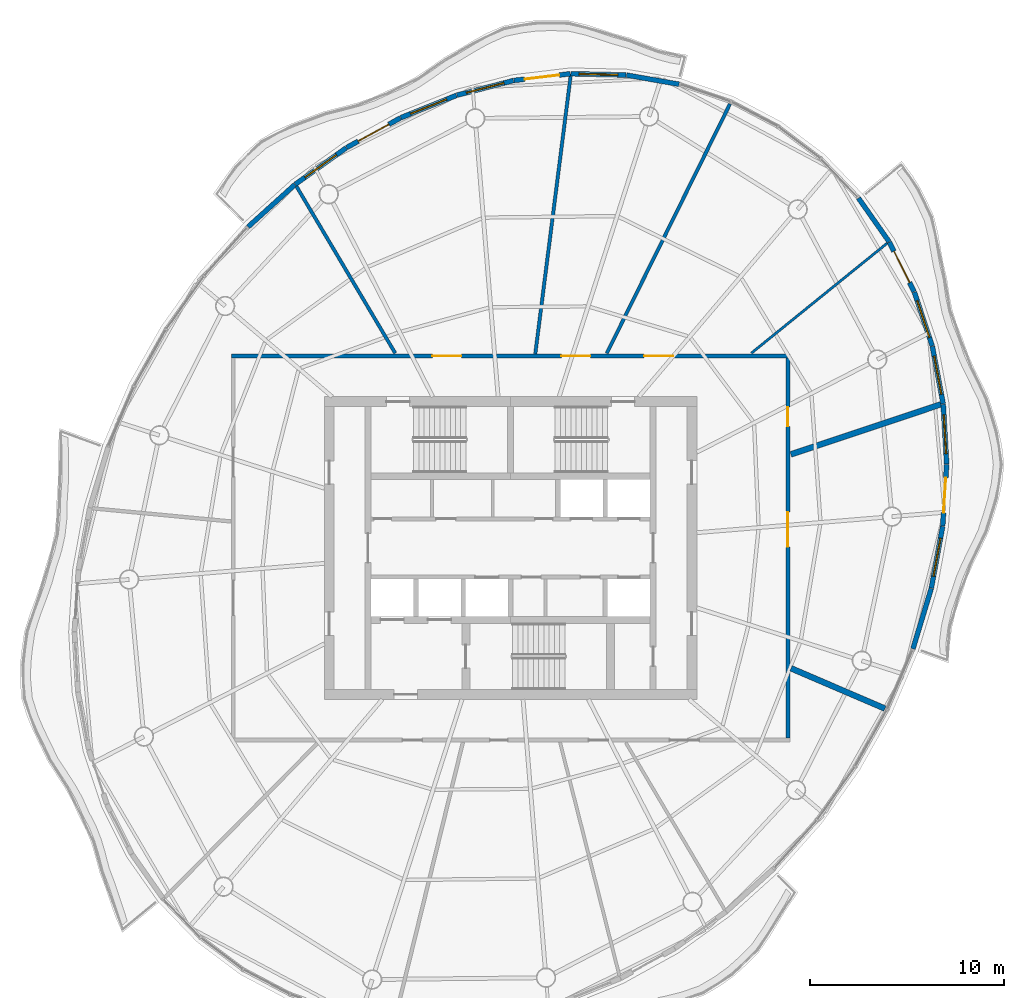
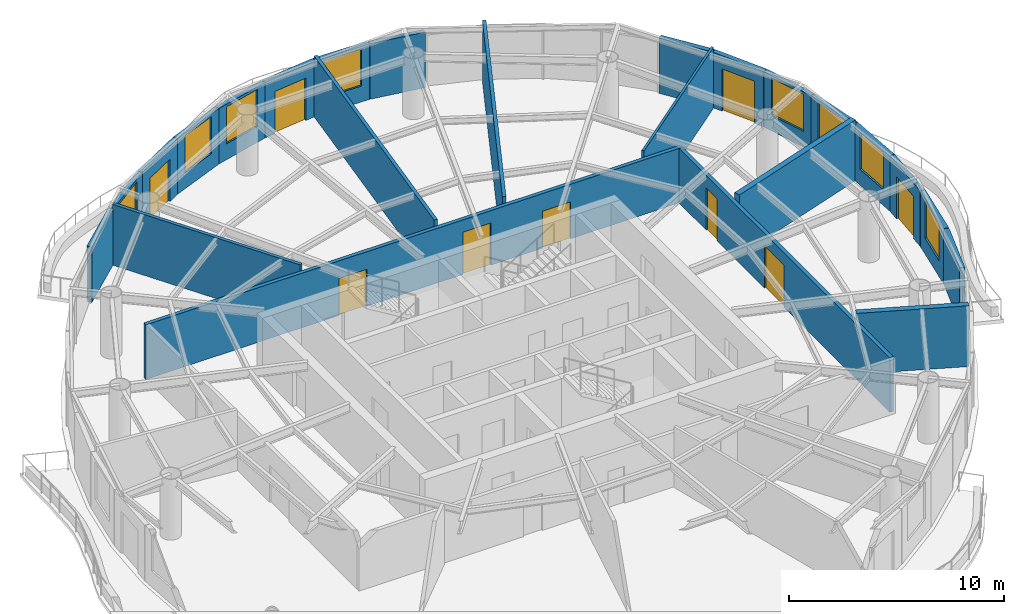
# One storey, part 10 of 14: 24 walls, 9 doors, 8 windows, 17 openings.
"""IFC4 building model written with IfcOpenShell, lengths in metres."""

from ifc_helpers import new_model, si_unit, direction, frame, frame_2d, origin, place, context, subcontext, project, spatial, rectangle, extrude, material, layer, layer_set, type_object, element, fill, save


model = new_model("IFC4")

# Units and contexts
model_context = context("Model", 3, precision=1e-05, world=origin(), true_north=direction((0.0, 1.0)))
body_context = subcontext(model_context, "Body", "Model", "MODEL_VIEW")
ifc_project = project(units=[si_unit("LENGTHUNIT", "METRE"), si_unit("AREAUNIT", "SQUARE_METRE"), si_unit("VOLUMEUNIT", "CUBIC_METRE"), si_unit("PLANEANGLEUNIT", "RADIAN"), si_unit("MASSUNIT", "GRAM", prefix="KILO")], contexts=[model_context])

# Site, building, storey
site_placement = place(None, origin())
site = spatial("IfcSite", under=ifc_project, at=site_placement, CompositionType="ELEMENT")
building_placement = place(site_placement, origin())
building = spatial("IfcBuilding", under=site, at=building_placement, Name="Vermilion Reach Broadcast Tower", CompositionType="ELEMENT")
storey_placement = place(building_placement, frame((0.0, 0.0, 264.89990234375)))
storey = spatial("IfcBuildingStorey", under=building, at=storey_placement, Name="L65", CompositionType="ELEMENT", Elevation=264.89990234375)

# Walls
ifc_material_1 = material(Name="Fire-rated plasterboard on steel stud", Category="steel")
ifc_layer_1 = layer(ifc_material_1, 0.125)
ifc_layer_set_1 = layer_set([ifc_layer_1], Name="Partition 125 fire-rated stud")
wall_type_1 = type_object("IfcWallType", Name="Partition 125 fire-rated stud", PredefinedType="PARTITIONING", material=ifc_layer_set_1)
wall_1_placement = place(storey_placement, frame((13.416259765625, 15.71630859375, 0.0), z_axis=(0.0, 0.0, 1.0), x_axis=(-0.777283998604, -0.629149891134, 0.0)))
element("IfcWall", 1, at=wall_1_placement, inside=storey, type_object=wall_type_1, Name="Partition 65.11", PredefinedType="PARTITIONING", context=body_context, shape_type="SweptSolid", body=[
    extrude(rectangle(XDim=9.008544921875, YDim=0.125, at=frame_2d((4.50439453125, 0.0))), origin(), (0.0, 0.0, 1.0), 3.4501953125),
])
ifc_material_2 = material(Name="Fire-rated block, plastered")
ifc_layer_2 = layer(ifc_material_2, 0.175048828125)
ifc_layer_set_2 = layer_set([ifc_layer_2], Name="Partition 175 fire-rated block")
wall_type_2 = type_object("IfcWallType", Name="Partition 175 fire-rated block", PredefinedType="PARTITIONING", material=ifc_layer_set_2)
wall_2_placement = place(storey_placement, frame((5.3115234375, 22.895263671875, 0.0), z_axis=(0.0, 0.0, 1.0), x_axis=(-0.442945398148, -0.896548590016, 0.0)))
element("IfcWall", 2, at=wall_2_placement, inside=storey, type_object=wall_type_2, Name="Partition 65.01", PredefinedType="PARTITIONING", context=body_context, shape_type="SweptSolid", body=[
    extrude(rectangle(XDim=14.33984375, YDim=0.175048828125, at=frame_2d((7.169921875, 0.0))), origin(), (0.0, 0.0, 1.0), 3.4501953125),
])
wall_3_placement = place(storey_placement, frame((-2.90478515625, 24.327880859375, 0.0), z_axis=(0.0, 0.0, 1.0), x_axis=(-0.126212209033, -0.992003265262, 0.0)))
element("IfcWall", 3, at=wall_3_placement, inside=storey, type_object=wall_type_2, Name="Partition 65.02", PredefinedType="PARTITIONING", context=body_context, shape_type="SweptSolid", body=[
    extrude(rectangle(XDim=14.432373046875, YDim=0.175048828125, at=frame_2d((7.21630859375, 0.0))), origin(), (0.0, 0.0, 1.0), 3.4501953125),
])
wall_4_placement = place(storey_placement, frame((-17.03662109375, 18.64208984375, 0.0), z_axis=(0.0, 0.0, 1.0), x_axis=(0.509456059297, -0.860496672652, 0.0)))
element("IfcWall", 4, at=wall_4_placement, inside=storey, type_object=wall_type_2, Name="Partition 65.03", PredefinedType="PARTITIONING", context=body_context, shape_type="SweptSolid", body=[
    extrude(rectangle(XDim=9.9912109375, YDim=0.175048828125, at=frame_2d((4.99560546875, 0.0))), origin(), (0.0, 0.0, 1.0), 3.4501953125),
])
ifc_material_3 = material(Name="Double-leaf plasterboard on isolated steel stud", Category="steel")
ifc_layer_3 = layer(ifc_material_3, 0.300048828125)
ifc_layer_set_3 = layer_set([ifc_layer_3], Name="Partition 300 acoustic double leaf")
wall_type_3 = type_object("IfcWallType", Name="Partition 300 acoustic double leaf", PredefinedType="PARTITIONING", material=ifc_layer_set_3)
wall_5_placement = place(storey_placement, frame((13.29833984375, -8.2763671875, 0.0), z_axis=(0.0, 0.0, 1.0), x_axis=(-0.919039472238, 0.39416550898, 0.0)))
element("IfcWall", 5, at=wall_5_placement, inside=storey, type_object=wall_type_3, Name="Partition 65.09", PredefinedType="PARTITIONING", context=body_context, shape_type="SweptSolid", body=[
    extrude(rectangle(XDim=5.265380859375, YDim=0.300048828125, at=frame_2d((2.6328125, 0.0))), origin(), (0.0, 0.0, 1.0), 3.4501953125),
])
wall_6_placement = place(storey_placement, frame((16.17919921875, 7.408935546875, 0.0), z_axis=(0.0, 0.0, 1.0), x_axis=(-0.948479442835, -0.316838675858, 0.0)))
element("IfcWall", 6, at=wall_6_placement, inside=storey, type_object=wall_type_3, Name="Partition 65.10", PredefinedType="PARTITIONING", context=body_context, shape_type="SweptSolid", body=[
    extrude(rectangle(XDim=8.151611328125, YDim=0.300048828125, at=frame_2d((4.07568359375, 0.0))), origin(), (0.0, 0.0, 1.0), 3.4501953125),
])
ifc_material_4 = material(Name="Terracotta rainscreen cladding", Category="masonry")
ifc_layer_4 = layer(ifc_material_4, 0.25)
ifc_layer_set_4 = layer_set([ifc_layer_4], Name="Terracotta rainscreen wall 250")
wall_type_4 = type_object("IfcWallType", Name="Terracotta rainscreen wall 250", PredefinedType="SOLIDWALL", material=ifc_layer_set_4)
wall_7_placement = place(storey_placement, frame((2.684326171875, 23.91015625, 0.0), z_axis=(0.0, 0.0, 1.0), x_axis=(-0.985123538197, 0.171847649069, 0.0)))
element("IfcWall", 7, at=wall_7_placement, inside=storey, type_object=wall_type_4, Name="External wall L65 02", PredefinedType="SOLIDWALL", context=body_context, shape_type="SweptSolid", body=[
    extrude(rectangle(XDim=2.74609375, YDim=0.25, at=frame_2d((1.373046875, 0.0))), origin(), (0.0, 0.0, 1.0), 3.150146484375),
])

# Wall, opening, window
wall_8_placement = place(storey_placement, frame((-0.047607421875, 24.384765625, 0.0), z_axis=(0.0, 0.0, 1.0), x_axis=(-0.999718659369, 0.023719235002, 0.0)))
wall_8 = element("IfcWall", 8, at=wall_8_placement, inside=storey, type_object=wall_type_4, Name="External wall L65 03", PredefinedType="SOLIDWALL", context=body_context, shape_type="SweptSolid", body=[
    extrude(rectangle(XDim=2.85107421875, YDim=0.25, at=frame_2d((1.425537109375, 0.0))), origin(), (0.0, 0.0, 1.0), 3.150146484375),
])
opening_1_placement = place(wall_8_placement, frame((0.425537109375, 0.0, 0.89990234375)))
opening_1 = element("IfcOpeningElement", 9, at=opening_1_placement, cuts=wall_8, Name="Opening W03", PredefinedType="OPENING", context=body_context, shape_type="SweptSolid", body=[
    extrude(rectangle(XDim=2.0, YDim=2.10009765625, at=frame_2d((1.0, 1.050048828125))), frame((0.0, 0.135009765625, 0.0), z_axis=(0.0, -1.0, 0.0), x_axis=(1.0, 0.0, 0.0)), (0.0, 0.0, 1.0), 0.27001953125),
])
ifc_material_5 = material(Name="Low-e laminated clear glass in aluminium frame", Category="aluminium")
window_type = type_object("IfcWindowType", Name="Punched window 2000 x 2100 sill 900", PartitioningType="SINGLE_PANEL", PredefinedType="WINDOW", material=ifc_material_5)
window_1_placement = place(opening_1_placement, origin())
window_1 = element("IfcWindow", 10, at=window_1_placement, inside=storey, type_object=window_type, Name="Window L65 03", OverallHeight=2.10009765625, OverallWidth=2.0, PartitioningType="SINGLE_PANEL", PredefinedType="WINDOW", context=body_context, shape_type="SweptSolid", body=[
    extrude(rectangle(XDim=2.0, YDim=2.10009765625, at=frame_2d((1.0, 1.050048828125))), frame((0.0, 0.030029296875, 0.0), z_axis=(0.0, -1.0, 0.0), x_axis=(1.0, 0.0, 0.0)), (0.0, 0.0, 1.0), 0.06005859375),
])
fill(opening_1, window_1)

# Wall, opening, door
wall_9_placement = place(storey_placement, frame((-2.923583984375, 24.451171875, 0.0), z_axis=(0.0, 0.0, 1.0), x_axis=(-0.992981045758, -0.11827359285, 0.0)))
wall_9 = element("IfcWall", 11, at=wall_9_placement, inside=storey, type_object=wall_type_4, Name="External wall L65 04", PredefinedType="SOLIDWALL", context=body_context, shape_type="SweptSolid", body=[
    extrude(rectangle(XDim=2.927001953125, YDim=0.25, at=frame_2d((1.46337890625, 0.0))), origin(), (0.0, 0.0, 1.0), 3.150146484375),
])
opening_2_placement = place(wall_9_placement, frame((0.56298828125, 0.0, 0.0)))
opening_2 = element("IfcOpeningElement", 12, at=opening_2_placement, cuts=wall_9, Name="Opening D70", PredefinedType="OPENING", context=body_context, shape_type="SweptSolid", body=[
    extrude(rectangle(XDim=1.800048828125, YDim=2.39990234375, at=frame_2d((0.89990234375, 1.199951171875))), frame((0.0, 0.135009765625, 0.0), z_axis=(0.0, -1.0, 0.0), x_axis=(1.0, 0.0, 0.0)), (0.0, 0.0, 1.0), 0.27001953125),
])
ifc_material_6 = material(Name="Low-e laminated clear glass in aluminium frame", Category="aluminium")
door_type_1 = type_object("IfcDoorType", Name="Balcony sliding door 1800 x 2400", OperationType="DOUBLE_DOOR_SLIDING", PredefinedType="DOOR", material=ifc_material_6)
door_1_placement = place(opening_2_placement, origin())
door_1 = element("IfcDoor", 13, at=door_1_placement, inside=storey, type_object=door_type_1, Name="Balcony door L65 run 01", OperationType="DOUBLE_DOOR_SLIDING", OverallHeight=2.39990234375, OverallWidth=1.800048828125, PredefinedType="DOOR", context=body_context, shape_type="SweptSolid", body=[
    extrude(rectangle(XDim=1.800048828125, YDim=2.39990234375, at=frame_2d((0.89990234375, 1.199951171875))), frame((0.0, 0.02490234375, 0.0), z_axis=(0.0, -1.0, 0.0), x_axis=(1.0, 0.0, 0.0)), (0.0, 0.0, 1.0), 0.050048828125),
])
fill(opening_2, door_1)

# Wall, opening, window
wall_10_placement = place(storey_placement, frame((-5.8544921875, 24.100341796875, 0.0), z_axis=(0.0, 0.0, 1.0), x_axis=(-0.967956734752, -0.25111702381, 0.0)))
wall_10 = element("IfcWall", 14, at=wall_10_placement, inside=storey, type_object=wall_type_4, Name="External wall L65 05", PredefinedType="SOLIDWALL", context=body_context, shape_type="SweptSolid", body=[
    extrude(rectangle(XDim=3.009033203125, YDim=0.25, at=frame_2d((1.50439453125, 0.0))), origin(), (0.0, 0.0, 1.0), 3.150146484375),
])
opening_3_placement = place(wall_10_placement, frame((0.504638671875, 0.0, 0.89990234375)))
opening_3 = element("IfcOpeningElement", 15, at=opening_3_placement, cuts=wall_10, Name="Opening W03", PredefinedType="OPENING", context=body_context, shape_type="SweptSolid", body=[
    extrude(rectangle(XDim=2.0, YDim=2.10009765625, at=frame_2d((1.0, 1.050048828125))), frame((0.0, 0.135009765625, 0.0), z_axis=(0.0, -1.0, 0.0), x_axis=(1.0, 0.0, 0.0)), (0.0, 0.0, 1.0), 0.27001953125),
])
window_2_placement = place(opening_3_placement, origin())
window_2 = element("IfcWindow", 16, at=window_2_placement, inside=storey, type_object=window_type, Name="Window L65 05", OverallHeight=2.10009765625, OverallWidth=2.0, PartitioningType="SINGLE_PANEL", PredefinedType="WINDOW", context=body_context, shape_type="SweptSolid", body=[
    extrude(rectangle(XDim=2.0, YDim=2.10009765625, at=frame_2d((1.0, 1.050048828125))), frame((0.0, 0.030029296875, 0.0), z_axis=(0.0, -1.0, 0.0), x_axis=(1.0, 0.0, 0.0)), (0.0, 0.0, 1.0), 0.06005859375),
])
fill(opening_3, window_2)

wall_11_placement = place(storey_placement, frame((-8.7900390625, 23.337158203125, 0.0), z_axis=(0.0, 0.0, 1.0), x_axis=(-0.927849089634, -0.372955851093, 0.0)))
wall_11 = element("IfcWall", 17, at=wall_11_placement, inside=storey, type_object=wall_type_4, Name="External wall L65 06", PredefinedType="SOLIDWALL", context=body_context, shape_type="SweptSolid", body=[
    extrude(rectangle(XDim=3.091796875, YDim=0.25, at=frame_2d((1.5458984375, 0.0))), origin(), (0.0, 0.0, 1.0), 3.150146484375),
])
opening_4_placement = place(wall_11_placement, frame((0.5458984375, 0.0, 0.89990234375)))
opening_4 = element("IfcOpeningElement", 18, at=opening_4_placement, cuts=wall_11, Name="Opening W03", PredefinedType="OPENING", context=body_context, shape_type="SweptSolid", body=[
    extrude(rectangle(XDim=2.0, YDim=2.10009765625, at=frame_2d((1.0, 1.050048828125))), frame((0.0, 0.135009765625, 0.0), z_axis=(0.0, -1.0, 0.0), x_axis=(1.0, 0.0, 0.0)), (0.0, 0.0, 1.0), 0.27001953125),
])
window_3_placement = place(opening_4_placement, origin())
window_3 = element("IfcWindow", 19, at=window_3_placement, inside=storey, type_object=window_type, Name="Window L65 06", OverallHeight=2.10009765625, OverallWidth=2.0, PartitioningType="SINGLE_PANEL", PredefinedType="WINDOW", context=body_context, shape_type="SweptSolid", body=[
    extrude(rectangle(XDim=2.0, YDim=2.10009765625, at=frame_2d((1.0, 1.050048828125))), frame((0.0, 0.030029296875, 0.0), z_axis=(0.0, -1.0, 0.0), x_axis=(1.0, 0.0, 0.0)), (0.0, 0.0, 1.0), 0.06005859375),
])
fill(opening_4, window_3)

# Wall, opening, door
wall_12_placement = place(storey_placement, frame((-11.6796875, 22.174072265625, 0.0), z_axis=(0.0, 0.0, 1.0), x_axis=(-0.875491155983, -0.483234141794, 0.0)))
wall_12 = element("IfcWall", 20, at=wall_12_placement, inside=storey, type_object=wall_type_4, Name="External wall L65 07", PredefinedType="SOLIDWALL", context=body_context, shape_type="SweptSolid", body=[
    extrude(rectangle(XDim=3.169189453125, YDim=0.25, at=frame_2d((1.58447265625, 0.0))), origin(), (0.0, 0.0, 1.0), 3.150146484375),
])
opening_5_placement = place(wall_12_placement, frame((0.68505859375, 0.0, 0.0)))
opening_5 = element("IfcOpeningElement", 21, at=opening_5_placement, cuts=wall_12, Name="Opening D70", PredefinedType="OPENING", context=body_context, shape_type="SweptSolid", body=[
    extrude(rectangle(XDim=1.800048828125, YDim=2.39990234375, at=frame_2d((0.89990234375, 1.199951171875))), frame((0.0, 0.135009765625, 0.0), z_axis=(0.0, -1.0, 0.0), x_axis=(1.0, 0.0, 0.0)), (0.0, 0.0, 1.0), 0.27001953125),
])
door_2_placement = place(opening_5_placement, origin())
door_2 = element("IfcDoor", 22, at=door_2_placement, inside=storey, type_object=door_type_1, Name="Balcony door L65 run 02", OperationType="DOUBLE_DOOR_SLIDING", OverallHeight=2.39990234375, OverallWidth=1.800048828125, PredefinedType="DOOR", context=body_context, shape_type="SweptSolid", body=[
    extrude(rectangle(XDim=1.800048828125, YDim=2.39990234375, at=frame_2d((0.89990234375, 1.199951171875))), frame((0.0, 0.02490234375, 0.0), z_axis=(0.0, -1.0, 0.0), x_axis=(1.0, 0.0, 0.0)), (0.0, 0.0, 1.0), 0.050048828125),
])
fill(opening_5, door_2)

# Wall, opening, window
wall_13_placement = place(storey_placement, frame((-14.4736328125, 20.63037109375, 0.0), z_axis=(0.0, 0.0, 1.0), x_axis=(-0.81314194721, -0.582065437634, 0.0)))
wall_13 = element("IfcWall", 23, at=wall_13_placement, inside=storey, type_object=wall_type_4, Name="External wall L65 08", PredefinedType="SOLIDWALL", context=body_context, shape_type="SweptSolid", body=[
    extrude(rectangle(XDim=3.2373046875, YDim=0.25, at=frame_2d((1.61865234375, 0.0))), origin(), (0.0, 0.0, 1.0), 3.150146484375),
])
opening_6_placement = place(wall_13_placement, frame((0.61865234375, 0.0, 0.89990234375)))
opening_6 = element("IfcOpeningElement", 24, at=opening_6_placement, cuts=wall_13, Name="Opening W03", PredefinedType="OPENING", context=body_context, shape_type="SweptSolid", body=[
    extrude(rectangle(XDim=2.0, YDim=2.10009765625, at=frame_2d((1.0, 1.050048828125))), frame((0.0, 0.135009765625, 0.0), z_axis=(0.0, -1.0, 0.0), x_axis=(1.0, 0.0, 0.0)), (0.0, 0.0, 1.0), 0.27001953125),
])
window_4_placement = place(opening_6_placement, origin())
window_4 = element("IfcWindow", 25, at=window_4_placement, inside=storey, type_object=window_type, Name="Window L65 08", OverallHeight=2.10009765625, OverallWidth=2.0, PartitioningType="SINGLE_PANEL", PredefinedType="WINDOW", context=body_context, shape_type="SweptSolid", body=[
    extrude(rectangle(XDim=2.0, YDim=2.10009765625, at=frame_2d((1.0, 1.050048828125))), frame((0.0, 0.030029296875, 0.0), z_axis=(0.0, -1.0, 0.0), x_axis=(1.0, 0.0, 0.0)), (0.0, 0.0, 1.0), 0.06005859375),
])
fill(opening_6, window_4)

# Walls
for number, where, z_axis, x_axis, name in (
    (26, (-17.123291015625, 18.732177734375, 0.0), (0.0, 0.0, 1.0), (-0.7424824804, -0.669865483734, 0.0), "External wall L65 09"),
    (27, (14.74365234375, -5.197265625, 0.0), (0.0, 0.0, 1.0), (0.289926029866, 0.957049056844, 0.0), "External wall L65 38"),
):
    element("IfcWall", number, at=place(storey_placement, frame(where, z_axis=z_axis, x_axis=x_axis)), inside=storey, type_object=wall_type_4, Name=name, PredefinedType="SOLIDWALL", context=body_context, shape_type="SweptSolid", body=[
        extrude(rectangle(XDim=3.247802734375, YDim=0.25, at=frame_2d((1.6240234375, 0.0))), origin(), (0.0, 0.0, 1.0), 3.150146484375),
    ])

# Wall, opening, window
wall_14_placement = place(storey_placement, frame((15.690673828125, -2.0673828125, 0.0), z_axis=(0.0, 0.0, 1.0), x_axis=(0.180457976696, 0.983582695378, 0.0)))
wall_14 = element("IfcWall", 28, at=wall_14_placement, inside=storey, type_object=wall_type_4, Name="External wall L65 39", PredefinedType="SOLIDWALL", context=body_context, shape_type="SweptSolid", body=[
    extrude(rectangle(XDim=3.237548828125, YDim=0.25, at=frame_2d((1.61865234375, 0.0))), origin(), (0.0, 0.0, 1.0), 3.150146484375),
])
opening_7_placement = place(wall_14_placement, frame((0.61865234375, 0.0, 0.89990234375)))
opening_7 = element("IfcOpeningElement", 29, at=opening_7_placement, cuts=wall_14, Name="Opening W03", PredefinedType="OPENING", context=body_context, shape_type="SweptSolid", body=[
    extrude(rectangle(XDim=2.0, YDim=2.10009765625, at=frame_2d((1.0, 1.050048828125))), frame((0.0, 0.135009765625, 0.0), z_axis=(0.0, -1.0, 0.0), x_axis=(1.0, 0.0, 0.0)), (0.0, 0.0, 1.0), 0.27001953125),
])
window_5_placement = place(opening_7_placement, origin())
window_5 = element("IfcWindow", 30, at=window_5_placement, inside=storey, type_object=window_type, Name="Window L65 39", OverallHeight=2.10009765625, OverallWidth=2.0, PartitioningType="SINGLE_PANEL", PredefinedType="WINDOW", context=body_context, shape_type="SweptSolid", body=[
    extrude(rectangle(XDim=2.0, YDim=2.10009765625, at=frame_2d((1.0, 1.050048828125))), frame((0.0, 0.030029296875, 0.0), z_axis=(0.0, -1.0, 0.0), x_axis=(1.0, 0.0, 0.0)), (0.0, 0.0, 1.0), 0.06005859375),
])
fill(opening_7, window_5)

# Wall, opening, door
wall_15_placement = place(storey_placement, frame((16.277587890625, 1.139404296875, 0.0), z_axis=(0.0, 0.0, 1.0), x_axis=(0.064473835275, 0.99791939783, 0.0)))
wall_15 = element("IfcWall", 31, at=wall_15_placement, inside=storey, type_object=wall_type_4, Name="External wall L65 40", PredefinedType="SOLIDWALL", context=body_context, shape_type="SweptSolid", body=[
    extrude(rectangle(XDim=3.16943359375, YDim=0.25, at=frame_2d((1.584716796875, 0.0))), origin(), (0.0, 0.0, 1.0), 3.150146484375),
])
opening_8_placement = place(wall_15_placement, frame((0.68505859375, 0.0, 0.0)))
opening_8 = element("IfcOpeningElement", 32, at=opening_8_placement, cuts=wall_15, Name="Opening D70", PredefinedType="OPENING", context=body_context, shape_type="SweptSolid", body=[
    extrude(rectangle(XDim=1.800048828125, YDim=2.39990234375, at=frame_2d((0.89990234375, 1.199951171875))), frame((0.0, 0.135009765625, 0.0), z_axis=(0.0, -1.0, 0.0), x_axis=(1.0, 0.0, 0.0)), (0.0, 0.0, 1.0), 0.27001953125),
])
door_3_placement = place(opening_8_placement, origin())
door_3 = element("IfcDoor", 33, at=door_3_placement, inside=storey, type_object=door_type_1, Name="Balcony door L65 run 10", OperationType="DOUBLE_DOOR_SLIDING", OverallHeight=2.39990234375, OverallWidth=1.800048828125, PredefinedType="DOOR", context=body_context, shape_type="SweptSolid", body=[
    extrude(rectangle(XDim=1.800048828125, YDim=2.39990234375, at=frame_2d((0.89990234375, 1.199951171875))), frame((0.0, 0.02490234375, 0.0), z_axis=(0.0, -1.0, 0.0), x_axis=(1.0, 0.0, 0.0)), (0.0, 0.0, 1.0), 0.050048828125),
])
fill(opening_8, door_3)

# Wall, opening, window
wall_16_placement = place(storey_placement, frame((16.482177734375, 4.325439453125, 0.0), z_axis=(0.0, 0.0, 1.0), x_axis=(-0.057643453345, 0.998337233747, 0.0)))
wall_16 = element("IfcWall", 34, at=wall_16_placement, inside=storey, type_object=wall_type_4, Name="External wall L65 41", PredefinedType="SOLIDWALL", context=body_context, shape_type="SweptSolid", body=[
    extrude(rectangle(XDim=3.091796875, YDim=0.25, at=frame_2d((1.5458984375, 0.0))), origin(), (0.0, 0.0, 1.0), 3.150146484375),
])
opening_9_placement = place(wall_16_placement, frame((0.5458984375, 0.0, 0.89990234375)))
opening_9 = element("IfcOpeningElement", 35, at=opening_9_placement, cuts=wall_16, Name="Opening W03", PredefinedType="OPENING", context=body_context, shape_type="SweptSolid", body=[
    extrude(rectangle(XDim=2.0, YDim=2.10009765625, at=frame_2d((1.0, 1.050048828125))), frame((0.0, 0.135009765625, 0.0), z_axis=(0.0, -1.0, 0.0), x_axis=(1.0, 0.0, 0.0)), (0.0, 0.0, 1.0), 0.27001953125),
])
window_6_placement = place(opening_9_placement, origin())
window_6 = element("IfcWindow", 36, at=window_6_placement, inside=storey, type_object=window_type, Name="Window L65 41", OverallHeight=2.10009765625, OverallWidth=2.0, PartitioningType="SINGLE_PANEL", PredefinedType="WINDOW", context=body_context, shape_type="SweptSolid", body=[
    extrude(rectangle(XDim=2.0, YDim=2.10009765625, at=frame_2d((1.0, 1.050048828125))), frame((0.0, 0.030029296875, 0.0), z_axis=(0.0, -1.0, 0.0), x_axis=(1.0, 0.0, 0.0)), (0.0, 0.0, 1.0), 0.06005859375),
])
fill(opening_9, window_6)

wall_17_placement = place(storey_placement, frame((16.301025390625, 7.43603515625, 0.0), z_axis=(0.0, 0.0, 1.0), x_axis=(-0.184915563493, 0.982754412037, 0.0)))
wall_17 = element("IfcWall", 37, at=wall_17_placement, inside=storey, type_object=wall_type_4, Name="External wall L65 42", PredefinedType="SOLIDWALL", context=body_context, shape_type="SweptSolid", body=[
    extrude(rectangle(XDim=3.009033203125, YDim=0.25, at=frame_2d((1.50439453125, 0.0))), origin(), (0.0, 0.0, 1.0), 3.150146484375),
])
opening_10_placement = place(wall_17_placement, frame((0.504638671875, 0.0, 0.89990234375)))
opening_10 = element("IfcOpeningElement", 38, at=opening_10_placement, cuts=wall_17, Name="Opening W03", PredefinedType="OPENING", context=body_context, shape_type="SweptSolid", body=[
    extrude(rectangle(XDim=2.0, YDim=2.10009765625, at=frame_2d((1.0, 1.050048828125))), frame((0.0, 0.135009765625, 0.0), z_axis=(0.0, -1.0, 0.0), x_axis=(1.0, 0.0, 0.0)), (0.0, 0.0, 1.0), 0.27001953125),
])
window_7_placement = place(opening_10_placement, origin())
window_7 = element("IfcWindow", 39, at=window_7_placement, inside=storey, type_object=window_type, Name="Window L65 42", OverallHeight=2.10009765625, OverallWidth=2.0, PartitioningType="SINGLE_PANEL", PredefinedType="WINDOW", context=body_context, shape_type="SweptSolid", body=[
    extrude(rectangle(XDim=2.0, YDim=2.10009765625, at=frame_2d((1.0, 1.050048828125))), frame((0.0, 0.030029296875, 0.0), z_axis=(0.0, -1.0, 0.0), x_axis=(1.0, 0.0, 0.0)), (0.0, 0.0, 1.0), 0.06005859375),
])
fill(opening_10, window_7)

wall_18_placement = place(storey_placement, frame((15.738525390625, 10.417236328125, 0.0), z_axis=(0.0, 0.0, 1.0), x_axis=(-0.315802326968, 0.948825005089, 0.0)))
wall_18 = element("IfcWall", 40, at=wall_18_placement, inside=storey, type_object=wall_type_4, Name="External wall L65 43", PredefinedType="SOLIDWALL", context=body_context, shape_type="SweptSolid", body=[
    extrude(rectangle(XDim=2.927001953125, YDim=0.25, at=frame_2d((1.46337890625, 0.0))), origin(), (0.0, 0.0, 1.0), 3.150146484375),
])
opening_11_placement = place(wall_18_placement, frame((0.46337890625, 0.0, 0.89990234375)))
opening_11 = element("IfcOpeningElement", 41, at=opening_11_placement, cuts=wall_18, Name="Opening W03", PredefinedType="OPENING", context=body_context, shape_type="SweptSolid", body=[
    extrude(rectangle(XDim=2.0, YDim=2.10009765625, at=frame_2d((1.0, 1.050048828125))), frame((0.0, 0.135009765625, 0.0), z_axis=(0.0, -1.0, 0.0), x_axis=(1.0, 0.0, 0.0)), (0.0, 0.0, 1.0), 0.27001953125),
])
window_8_placement = place(opening_11_placement, origin())
window_8 = element("IfcWindow", 42, at=window_8_placement, inside=storey, type_object=window_type, Name="Window L65 43", OverallHeight=2.10009765625, OverallWidth=2.0, PartitioningType="SINGLE_PANEL", PredefinedType="WINDOW", context=body_context, shape_type="SweptSolid", body=[
    extrude(rectangle(XDim=2.0, YDim=2.10009765625, at=frame_2d((1.0, 1.050048828125))), frame((0.0, 0.030029296875, 0.0), z_axis=(0.0, -1.0, 0.0), x_axis=(1.0, 0.0, 0.0)), (0.0, 0.0, 1.0), 0.06005859375),
])
fill(opening_11, window_8)

# Wall, opening, door
wall_19_placement = place(storey_placement, frame((14.804443359375, 13.21826171875, 0.0), z_axis=(0.0, 0.0, 1.0), x_axis=(-0.447145092451, 0.894461439246, 0.0)))
wall_19 = element("IfcWall", 43, at=wall_19_placement, inside=storey, type_object=wall_type_4, Name="External wall L65 44", PredefinedType="SOLIDWALL", context=body_context, shape_type="SweptSolid", body=[
    extrude(rectangle(XDim=2.851318359375, YDim=0.25, at=frame_2d((1.42578125, 0.0))), origin(), (0.0, 0.0, 1.0), 3.150146484375),
])
opening_12_placement = place(wall_19_placement, frame((0.52587890625, 0.0, 0.0)))
opening_12 = element("IfcOpeningElement", 44, at=opening_12_placement, cuts=wall_19, Name="Opening D70", PredefinedType="OPENING", context=body_context, shape_type="SweptSolid", body=[
    extrude(rectangle(XDim=1.800048828125, YDim=2.39990234375, at=frame_2d((0.89990234375, 1.199951171875))), frame((0.0, 0.135009765625, 0.0), z_axis=(0.0, -1.0, 0.0), x_axis=(1.0, 0.0, 0.0)), (0.0, 0.0, 1.0), 0.27001953125),
])
door_4_placement = place(opening_12_placement, origin())
door_4 = element("IfcDoor", 45, at=door_4_placement, inside=storey, type_object=door_type_1, Name="Balcony door L65 run 11", OperationType="DOUBLE_DOOR_SLIDING", OverallHeight=2.39990234375, OverallWidth=1.800048828125, PredefinedType="DOOR", context=body_context, shape_type="SweptSolid", body=[
    extrude(rectangle(XDim=1.800048828125, YDim=2.39990234375, at=frame_2d((0.89990234375, 1.199951171875))), frame((0.0, 0.02490234375, 0.0), z_axis=(0.0, -1.0, 0.0), x_axis=(1.0, 0.0, 0.0)), (0.0, 0.0, 1.0), 0.050048828125),
])
fill(opening_12, door_4)

# Wall
wall_20_placement = place(storey_placement, frame((13.515869140625, 15.791259765625, 0.0), z_axis=(0.0, 0.0, 1.0), x_axis=(-0.574964816713, 0.818178134358, 0.0)))
element("IfcWall", 46, at=wall_20_placement, inside=storey, type_object=wall_type_4, Name="External wall L65 45", PredefinedType="SOLIDWALL", context=body_context, shape_type="SweptSolid", body=[
    extrude(rectangle(XDim=2.746337890625, YDim=0.25, at=frame_2d((1.373046875, 0.0))), origin(), (0.0, 0.0, 1.0), 3.150146484375),
])

# Wall, openings, doors
ifc_material_7 = material(Name="Fire-rated gypsum board partition")
ifc_layer_5 = layer(ifc_material_7, 0.199951171875)
ifc_layer_set_5 = layer_set([ifc_layer_5], Name="Under girder: Corridor wall 200 fire-rated")
wall_type_5 = type_object("IfcWallType", Name="Under girder: Corridor wall 200 fire-rated", PredefinedType="PARTITIONING", material=ifc_layer_set_5)
wall_21_placement = place(storey_placement, frame((-20.39990234375, 9.89990234375, 0.0), z_axis=(0.0, 0.0, 1.0), x_axis=(1.0, 0.0, 0.0)))
wall_21 = element("IfcWall", 47, at=wall_21_placement, inside=storey, type_object=wall_type_5, Name="Corridor wall 65.N", PredefinedType="PARTITIONING", context=body_context, shape_type="SweptSolid", body=[
    extrude(rectangle(XDim=28.7998046875, YDim=0.199951171875, at=frame_2d((14.39990234375, 0.0))), origin(), (0.0, 0.0, 1.0), 3.10009765625),
])
opening_13_placement = place(wall_21_placement, frame((17.01513671875, 0.0, 0.0)))
opening_13 = element("IfcOpeningElement", 48, at=opening_13_placement, cuts=wall_21, Name="Opening D25", PredefinedType="OPENING", context=body_context, shape_type="SweptSolid", body=[
    extrude(rectangle(XDim=1.5, YDim=2.39990234375, at=frame_2d((0.75, 1.199951171875))), frame((0.0, 0.10986328125, 0.0), z_axis=(0.0, -1.0, 0.0), x_axis=(1.0, 0.0, 0.0)), (0.0, 0.0, 1.0), 0.219970703125),
])
opening_14_placement = place(wall_21_placement, frame((10.362548828125, 0.0, 0.0)))
opening_14 = element("IfcOpeningElement", 49, at=opening_14_placement, cuts=wall_21, Name="Opening D24", PredefinedType="OPENING", context=body_context, shape_type="SweptSolid", body=[
    extrude(rectangle(XDim=1.5, YDim=2.10009765625, at=frame_2d((0.75, 1.050048828125))), frame((0.0, 0.10986328125, 0.0), z_axis=(0.0, -1.0, 0.0), x_axis=(1.0, 0.0, 0.0)), (0.0, 0.0, 1.0), 0.219970703125),
])
opening_15_placement = place(wall_21_placement, frame((21.28955078125, 0.0, 0.0)))
opening_15 = element("IfcOpeningElement", 50, at=opening_15_placement, cuts=wall_21, Name="Opening D24", PredefinedType="OPENING", context=body_context, shape_type="SweptSolid", body=[
    extrude(rectangle(XDim=1.5, YDim=2.10009765625, at=frame_2d((0.75, 1.050048828125))), frame((0.0, 0.10986328125, 0.0), z_axis=(0.0, -1.0, 0.0), x_axis=(1.0, 0.0, 0.0)), (0.0, 0.0, 1.0), 0.219970703125),
])
ifc_material_8 = material(Name="Timber door leaf", Category="wood")
door_type_2 = type_object("IfcDoorType", Name="Door pair 1500x2100", OperationType="NOTDEFINED", PredefinedType="DOOR", material=ifc_material_8)
door_5_placement = place(opening_14_placement, origin())
door_5 = element("IfcDoor", 51, at=door_5_placement, inside=storey, type_object=door_type_2, Name="Door 65.02", OperationType="DOUBLE_DOOR_SINGLE_SWING", OverallHeight=2.10009765625, OverallWidth=1.5, PredefinedType="DOOR", context=body_context, shape_type="SweptSolid", body=[
    extrude(rectangle(XDim=1.5, YDim=2.10009765625, at=frame_2d((0.75, 1.050048828125))), frame((0.0, 0.02490234375, 0.0), z_axis=(0.0, -1.0, 0.0), x_axis=(1.0, 0.0, 0.0)), (0.0, 0.0, 1.0), 0.050048828125),
])
fill(opening_14, door_5)
door_6_placement = place(opening_15_placement, origin())
door_6 = element("IfcDoor", 52, at=door_6_placement, inside=storey, type_object=door_type_2, Name="Door 65.11", OperationType="DOUBLE_DOOR_SINGLE_SWING", OverallHeight=2.10009765625, OverallWidth=1.5, PredefinedType="DOOR", context=body_context, shape_type="SweptSolid", body=[
    extrude(rectangle(XDim=1.5, YDim=2.10009765625, at=frame_2d((0.75, 1.050048828125))), frame((0.0, 0.02490234375, 0.0), z_axis=(0.0, -1.0, 0.0), x_axis=(1.0, 0.0, 0.0)), (0.0, 0.0, 1.0), 0.050048828125),
])
fill(opening_15, door_6)
ifc_material_9 = material(Name="Glazed timber door leaf", Category="wood")
door_type_3 = type_object("IfcDoorType", Name="Door pair 1500x2400", OperationType="NOTDEFINED", PredefinedType="DOOR", material=ifc_material_9)
door_7_placement = place(opening_13_placement, origin())
door_7 = element("IfcDoor", 53, at=door_7_placement, inside=storey, type_object=door_type_3, Name="Door 65.01", OperationType="DOUBLE_DOOR_SINGLE_SWING", OverallHeight=2.39990234375, OverallWidth=1.5, PredefinedType="DOOR", context=body_context, shape_type="SweptSolid", body=[
    extrude(rectangle(XDim=1.5, YDim=2.39990234375, at=frame_2d((0.75, 1.199951171875))), frame((0.0, 0.02490234375, 0.0), z_axis=(0.0, -1.0, 0.0), x_axis=(1.0, 0.0, 0.0)), (0.0, 0.0, 1.0), 0.050048828125),
])
fill(opening_13, door_7)

wall_22_placement = place(storey_placement, frame((8.300048828125, 9.800048828125, 0.0), z_axis=(0.0, 0.0, 1.0), x_axis=(0.0, -1.0, 0.0)))
wall_22 = element("IfcWall", 54, at=wall_22_placement, inside=storey, type_object=wall_type_5, Name="Corridor wall 65.E", PredefinedType="PARTITIONING", context=body_context, shape_type="SweptSolid", body=[
    extrude(rectangle(XDim=19.60009765625, YDim=0.199951171875, at=frame_2d((9.800048828125, 0.0))), origin(), (0.0, 0.0, 1.0), 3.10009765625),
])
opening_16_placement = place(wall_22_placement, frame((7.945556640625, 0.0, 0.0)))
opening_16 = element("IfcOpeningElement", 55, at=opening_16_placement, cuts=wall_22, Name="Opening D27", PredefinedType="OPENING", context=body_context, shape_type="SweptSolid", body=[
    extrude(rectangle(XDim=1.800048828125, YDim=2.39990234375, at=frame_2d((0.89990234375, 1.199951171875))), frame((0.0, 0.10986328125, 0.0), z_axis=(0.0, -1.0, 0.0), x_axis=(1.0, 0.0, 0.0)), (0.0, 0.0, 1.0), 0.219970703125),
])
opening_17_placement = place(wall_22_placement, frame((2.53271484375, 0.0, 0.0)))
opening_17 = element("IfcOpeningElement", 56, at=opening_17_placement, cuts=wall_22, Name="Opening D23", PredefinedType="OPENING", context=body_context, shape_type="SweptSolid", body=[
    extrude(rectangle(XDim=1.0, YDim=2.39990234375, at=frame_2d((0.5, 1.199951171875))), frame((0.0, 0.10986328125, 0.0), z_axis=(0.0, -1.0, 0.0), x_axis=(1.0, 0.0, 0.0)), (0.0, 0.0, 1.0), 0.219970703125),
])
ifc_material_10 = material(Name="Acoustic timber door leaf", Category="wood")
door_type_4 = type_object("IfcDoorType", Name="Door pair 1800x2400", OperationType="NOTDEFINED", PredefinedType="DOOR", material=ifc_material_10)
door_8_placement = place(opening_16_placement, origin())
door_8 = element("IfcDoor", 57, at=door_8_placement, inside=storey, type_object=door_type_4, Name="Door 65.09", OperationType="DOUBLE_DOOR_SINGLE_SWING", OverallHeight=2.39990234375, OverallWidth=1.800048828125, PredefinedType="DOOR", context=body_context, shape_type="SweptSolid", body=[
    extrude(rectangle(XDim=1.800048828125, YDim=2.39990234375, at=frame_2d((0.89990234375, 1.199951171875))), frame((0.0, 0.02490234375, 0.0), z_axis=(0.0, -1.0, 0.0), x_axis=(1.0, 0.0, 0.0)), (0.0, 0.0, 1.0), 0.050048828125),
])
fill(opening_16, door_8)
ifc_material_11 = material(Name="Veneered timber door leaf", Category="wood")
door_type_5 = type_object("IfcDoorType", Name="Door single 1000x2400", OperationType="NOTDEFINED", PredefinedType="DOOR", material=ifc_material_11)
door_9_placement = place(opening_17_placement, origin())
door_9 = element("IfcDoor", 58, at=door_9_placement, inside=storey, type_object=door_type_5, Name="Door 65.10", OperationType="SINGLE_SWING_RIGHT", OverallHeight=2.39990234375, OverallWidth=1.0, PredefinedType="DOOR", context=body_context, shape_type="SweptSolid", body=[
    extrude(rectangle(XDim=1.0, YDim=2.39990234375, at=frame_2d((0.5, 1.199951171875))), frame((0.0, 0.02490234375, 0.0), z_axis=(0.0, -1.0, 0.0), x_axis=(1.0, 0.0, 0.0)), (0.0, 0.0, 1.0), 0.050048828125),
])
fill(opening_17, door_9)

save(model, "model.ifc")
